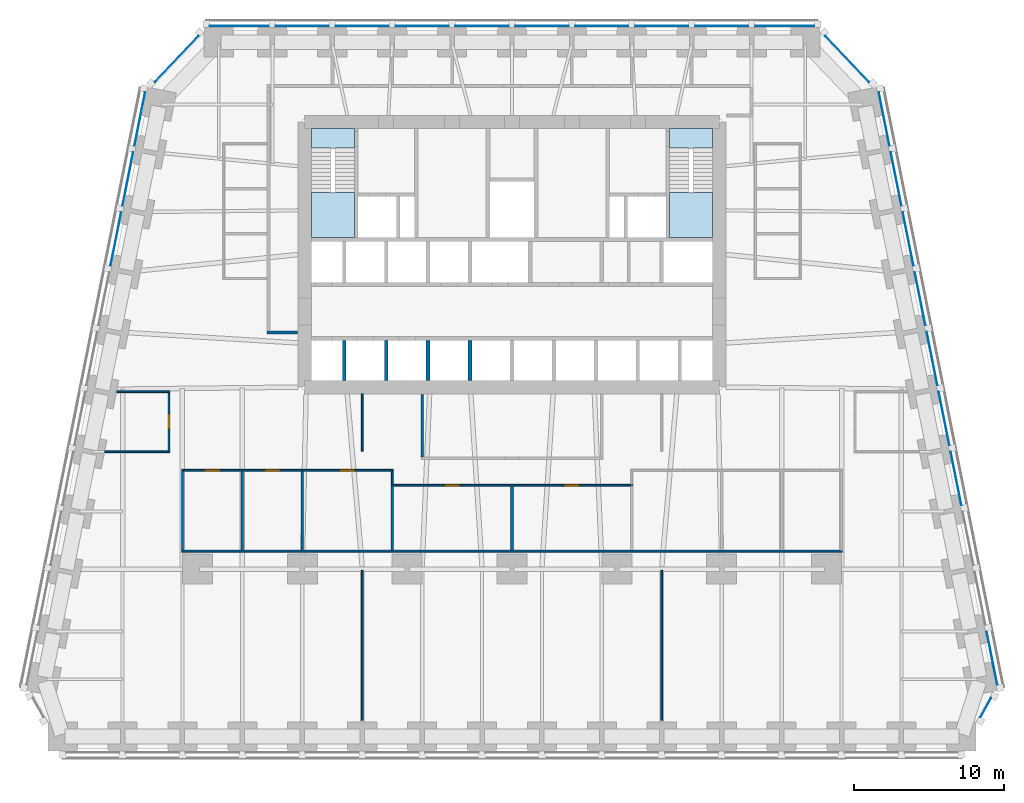
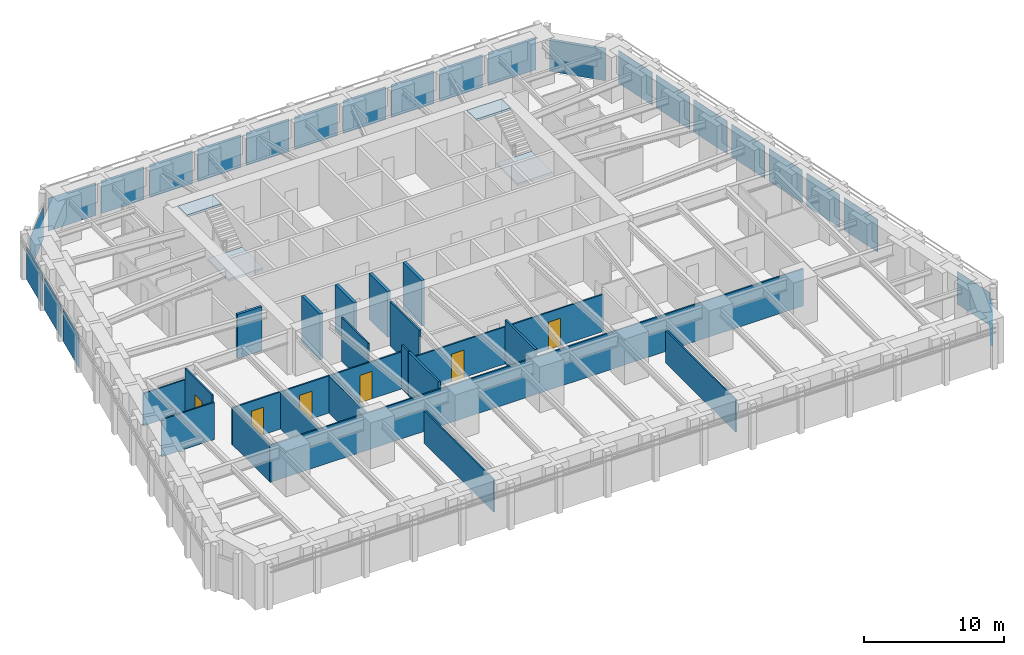
# One storey, part 5 of 10: 24 plates, 21 walls, 6 doors, 4 slabs, 6 openings, 8 elements without a shape of their own.
"""IFC4 building model written with IfcOpenShell, lengths in metres."""

from ifc_helpers import new_model, si_unit, direction, frame, frame_2d, origin, origin_2d, place, context, subcontext, project, spatial, polyline, rectangle, outline, extrude, material, layer, layer_set, type_object, element, fill, aggregate, save


model = new_model("IFC4")

# Units and contexts
model_context = context("Model", 3, precision=1e-05, world=origin(), true_north=direction((0.0, 1.0)))
body_context = subcontext(model_context, "Body", "Model", "MODEL_VIEW")
ifc_project = project(units=[si_unit("LENGTHUNIT", "METRE"), si_unit("AREAUNIT", "SQUARE_METRE"), si_unit("VOLUMEUNIT", "CUBIC_METRE"), si_unit("PLANEANGLEUNIT", "RADIAN"), si_unit("MASSUNIT", "GRAM", prefix="KILO")], contexts=[model_context])

# Site, building, storey
site_placement = place(None, origin())
site = spatial("IfcSite", under=ifc_project, at=site_placement, CompositionType="ELEMENT")
building_placement = place(site_placement, origin())
building = spatial("IfcBuilding", under=site, at=building_placement, Name="Isbrekke Arena Tower", CompositionType="ELEMENT")
storey_placement = place(building_placement, frame((0.0, 0.0, 76.0)))
storey = spatial("IfcBuildingStorey", under=building, at=storey_placement, Name="L16", CompositionType="ELEMENT", Elevation=76.0)

# Curtain wall, plate
ifc_material_1 = material(Name="Glazed aluminium curtain wall", Category="aluminium")
curtain_wall_type = type_object("IfcCurtainWallType", Name="CWL TOWER CURTAIN WALL LOW ZONE", PredefinedType="USERDEFINED", material=ifc_material_1)
curtain_wall_1_placement = place(storey_placement, origin())
curtain_wall_1 = element("IfcCurtainWall", 1, at=curtain_wall_1_placement, inside=storey, type_object=curtain_wall_type, Name="CWL curtain wall L16-SE", ObjectType="TOWER CURTAIN WALL LOW ZONE", PredefinedType="USERDEFINED")
ifc_material_2 = material(Name="Triple-glazed clear glass unit", Category="glass")
ifc_layer_1 = layer(ifc_material_2, 0.031982421875)
ifc_layer_set_1 = layer_set([ifc_layer_1], Name="CWL-P VISION PANEL")
plate_type = type_object("IfcPlateType", Name="CWL-P VISION PANEL", PredefinedType="CURTAIN_PANEL", material=ifc_layer_set_1)
plate_1_placement = place(storey_placement, frame((31.62744140625, -15.24853515625, 0.02001953125), z_axis=(0.0, 0.0, 1.0), x_axis=(0.481918749773, 0.876215908676, 0.0)))
plate_1 = element("IfcPlate", 2, at=plate_1_placement, type_object=plate_type, Name="CWL-P panel 1", PredefinedType="CURTAIN_PANEL", context=body_context, shape_type="SweptSolid", body=[
    extrude(rectangle(XDim=1.453369140625, YDim=0.031982421875, at=origin_2d()), origin(), (0.0, 0.0, 1.0), 2.8798828125),
])
aggregate(curtain_wall_1, [plate_1])

# Curtain wall, plates
curtain_wall_2_placement = place(storey_placement, origin())
curtain_wall_2 = element("IfcCurtainWall", 3, at=curtain_wall_2_placement, inside=storey, type_object=curtain_wall_type, Name="CWL curtain wall L16-E", ObjectType="TOWER CURTAIN WALL LOW ZONE", PredefinedType="USERDEFINED")
plate_2_placement = place(storey_placement, frame((32.045166015625, -11.950927734375, 0.02001953125), z_axis=(0.0, 0.0, 1.0), x_axis=(-0.196116135138, 0.980580675691, 0.0)))
plate_2 = element("IfcPlate", 4, at=plate_2_placement, type_object=plate_type, Name="CWL-P panel 1", PredefinedType="CURTAIN_PANEL", context=body_context, shape_type="SweptSolid", body=[
    extrude(rectangle(XDim=3.629150390625, YDim=0.031982421875, at=origin_2d()), origin(), (0.0, 0.0, 1.0), 2.8798828125),
])
plate_3_placement = place(storey_placement, frame((29.645263671875, 0.049072265625, 0.02001953125), z_axis=(0.0, 0.0, 1.0), x_axis=(-0.196116135138, 0.980580675691, 0.0)))
plate_3 = element("IfcPlate", 5, at=plate_3_placement, type_object=plate_type, Name="CWL-P panel 4", PredefinedType="CURTAIN_PANEL", context=body_context, shape_type="SweptSolid", body=[
    extrude(rectangle(XDim=3.629150390625, YDim=0.031982421875, at=origin_2d()), origin(), (0.0, 0.0, 1.0), 2.8798828125),
])
plate_4_placement = place(storey_placement, frame((28.84521484375, 4.049072265625, 0.02001953125), z_axis=(0.0, 0.0, 1.0), x_axis=(-0.196116135138, 0.980580675691, 0.0)))
plate_4 = element("IfcPlate", 6, at=plate_4_placement, type_object=plate_type, Name="CWL-P panel 5", PredefinedType="CURTAIN_PANEL", context=body_context, shape_type="SweptSolid", body=[
    extrude(rectangle(XDim=3.629150390625, YDim=0.031982421875, at=origin_2d()), origin(), (0.0, 0.0, 1.0), 2.8798828125),
])
plate_5_placement = place(storey_placement, frame((28.045166015625, 8.049072265625, 0.02001953125), z_axis=(0.0, 0.0, 1.0), x_axis=(-0.196116135138, 0.980580675691, 0.0)))
plate_5 = element("IfcPlate", 7, at=plate_5_placement, type_object=plate_type, Name="CWL-P panel 6", PredefinedType="CURTAIN_PANEL", context=body_context, shape_type="SweptSolid", body=[
    extrude(rectangle(XDim=3.629150390625, YDim=0.031982421875, at=origin_2d()), origin(), (0.0, 0.0, 1.0), 2.8798828125),
])
plate_6_placement = place(storey_placement, frame((27.2451171875, 12.049072265625, 0.02001953125), z_axis=(0.0, 0.0, 1.0), x_axis=(-0.196116135138, 0.980580675691, 0.0)))
plate_6 = element("IfcPlate", 8, at=plate_6_placement, type_object=plate_type, Name="CWL-P panel 7", PredefinedType="CURTAIN_PANEL", context=body_context, shape_type="SweptSolid", body=[
    extrude(rectangle(XDim=3.629150390625, YDim=0.031982421875, at=origin_2d()), origin(), (0.0, 0.0, 1.0), 2.8798828125),
])
plate_7_placement = place(storey_placement, frame((26.445068359375, 16.049072265625, 0.02001953125), z_axis=(0.0, 0.0, 1.0), x_axis=(-0.196116135138, 0.980580675691, 0.0)))
plate_7 = element("IfcPlate", 9, at=plate_7_placement, type_object=plate_type, Name="CWL-P panel 8", PredefinedType="CURTAIN_PANEL", context=body_context, shape_type="SweptSolid", body=[
    extrude(rectangle(XDim=3.629150390625, YDim=0.031982421875, at=origin_2d()), origin(), (0.0, 0.0, 1.0), 2.8798828125),
])
plate_8_placement = place(storey_placement, frame((25.645263671875, 20.049072265625, 0.02001953125), z_axis=(0.0, 0.0, 1.0), x_axis=(-0.196116135138, 0.980580675691, 0.0)))
plate_8 = element("IfcPlate", 10, at=plate_8_placement, type_object=plate_type, Name="CWL-P panel 9", PredefinedType="CURTAIN_PANEL", context=body_context, shape_type="SweptSolid", body=[
    extrude(rectangle(XDim=3.629150390625, YDim=0.031982421875, at=origin_2d()), origin(), (0.0, 0.0, 1.0), 2.8798828125),
])
plate_9_placement = place(storey_placement, frame((24.84521484375, 24.049072265625, 0.02001953125), z_axis=(0.0, 0.0, 1.0), x_axis=(-0.196116135138, 0.980580675691, 0.0)))
plate_9 = element("IfcPlate", 11, at=plate_9_placement, type_object=plate_type, Name="CWL-P panel 10", PredefinedType="CURTAIN_PANEL", context=body_context, shape_type="SweptSolid", body=[
    extrude(rectangle(XDim=3.629150390625, YDim=0.031982421875, at=origin_2d()), origin(), (0.0, 0.0, 1.0), 2.8798828125),
])
aggregate(curtain_wall_2, [plate_2, plate_3, plate_4, plate_5, plate_6, plate_7, plate_8, plate_9])

# Curtain wall, plate
curtain_wall_3_placement = place(storey_placement, origin())
curtain_wall_3 = element("IfcCurtainWall", 12, at=curtain_wall_3_placement, inside=storey, type_object=curtain_wall_type, Name="CWL curtain wall L16-EN", ObjectType="TOWER CURTAIN WALL LOW ZONE", PredefinedType="USERDEFINED")
plate_10_placement = place(storey_placement, frame((22.386474609375, 28.05419921875, 0.02001953125), z_axis=(0.0, 0.0, 1.0), x_axis=(-0.68874946192, 0.72499943359, 0.0)))
plate_10 = element("IfcPlate", 13, at=plate_10_placement, type_object=plate_type, Name="CWL-P panel 1", PredefinedType="CURTAIN_PANEL", context=body_context, shape_type="SweptSolid", body=[
    extrude(rectangle(XDim=4.22900390625, YDim=0.031982421875, at=origin_2d()), origin(), (0.0, 0.0, 1.0), 2.8798828125),
])
aggregate(curtain_wall_3, [plate_10])

# Curtain wall, plates
curtain_wall_4_placement = place(storey_placement, origin())
curtain_wall_4 = element("IfcCurtainWall", 14, at=curtain_wall_4_placement, inside=storey, type_object=curtain_wall_type, Name="CWL curtain wall L16-N", ObjectType="TOWER CURTAIN WALL LOW ZONE", PredefinedType="USERDEFINED")
plate_11_placement = place(storey_placement, frame((18.199951171875, 30.25, 0.02001953125), z_axis=(0.0, 0.0, 1.0), x_axis=(-1.0, 0.0, 0.0)))
plate_11 = element("IfcPlate", 15, at=plate_11_placement, type_object=plate_type, Name="CWL-P panel 1", PredefinedType="CURTAIN_PANEL", context=body_context, shape_type="SweptSolid", body=[
    extrude(rectangle(XDim=3.949951171875, YDim=0.031982421875, at=origin_2d()), origin(), (0.0, 0.0, 1.0), 2.8798828125),
])
plate_12_placement = place(storey_placement, frame((14.0, 30.25, 0.02001953125), z_axis=(0.0, 0.0, 1.0), x_axis=(-1.0, 0.0, 0.0)))
plate_12 = element("IfcPlate", 16, at=plate_12_placement, type_object=plate_type, Name="CWL-P panel 2", PredefinedType="CURTAIN_PANEL", context=body_context, shape_type="SweptSolid", body=[
    extrude(rectangle(XDim=3.550048828125, YDim=0.031982421875, at=origin_2d()), origin(), (0.0, 0.0, 1.0), 2.8798828125),
])
plate_13_placement = place(storey_placement, frame((10.0, 30.25, 0.02001953125), z_axis=(0.0, 0.0, 1.0), x_axis=(-1.0, 0.0, 0.0)))
plate_13 = element("IfcPlate", 17, at=plate_13_placement, type_object=plate_type, Name="CWL-P panel 3", PredefinedType="CURTAIN_PANEL", context=body_context, shape_type="SweptSolid", body=[
    extrude(rectangle(XDim=3.550048828125, YDim=0.031982421875, at=origin_2d()), origin(), (0.0, 0.0, 1.0), 2.8798828125),
])
plate_14_placement = place(storey_placement, frame((6.0, 30.25, 0.02001953125), z_axis=(0.0, 0.0, 1.0), x_axis=(-1.0, 0.0, 0.0)))
plate_14 = element("IfcPlate", 18, at=plate_14_placement, type_object=plate_type, Name="CWL-P panel 4", PredefinedType="CURTAIN_PANEL", context=body_context, shape_type="SweptSolid", body=[
    extrude(rectangle(XDim=3.550048828125, YDim=0.031982421875, at=origin_2d()), origin(), (0.0, 0.0, 1.0), 2.8798828125),
])
plate_15_placement = place(storey_placement, frame((2.0, 30.25, 0.02001953125), z_axis=(0.0, 0.0, 1.0), x_axis=(-1.0, 0.0, 0.0)))
plate_15 = element("IfcPlate", 19, at=plate_15_placement, type_object=plate_type, Name="CWL-P panel 5", PredefinedType="CURTAIN_PANEL", context=body_context, shape_type="SweptSolid", body=[
    extrude(rectangle(XDim=3.550048828125, YDim=0.031982421875, at=origin_2d()), origin(), (0.0, 0.0, 1.0), 2.8798828125),
])
plate_16_placement = place(storey_placement, frame((-2.0, 30.25, 0.02001953125), z_axis=(0.0, 0.0, 1.0), x_axis=(-1.0, 0.0, 0.0)))
plate_16 = element("IfcPlate", 20, at=plate_16_placement, type_object=plate_type, Name="CWL-P panel 6", PredefinedType="CURTAIN_PANEL", context=body_context, shape_type="SweptSolid", body=[
    extrude(rectangle(XDim=3.550048828125, YDim=0.031982421875, at=origin_2d()), origin(), (0.0, 0.0, 1.0), 2.8798828125),
])
plate_17_placement = place(storey_placement, frame((-6.0, 30.25, 0.02001953125), z_axis=(0.0, 0.0, 1.0), x_axis=(-1.0, 0.0, 0.0)))
plate_17 = element("IfcPlate", 21, at=plate_17_placement, type_object=plate_type, Name="CWL-P panel 7", PredefinedType="CURTAIN_PANEL", context=body_context, shape_type="SweptSolid", body=[
    extrude(rectangle(XDim=3.550048828125, YDim=0.031982421875, at=origin_2d()), origin(), (0.0, 0.0, 1.0), 2.8798828125),
])
plate_18_placement = place(storey_placement, frame((-10.0, 30.25, 0.02001953125), z_axis=(0.0, 0.0, 1.0), x_axis=(-1.0, 0.0, 0.0)))
plate_18 = element("IfcPlate", 22, at=plate_18_placement, type_object=plate_type, Name="CWL-P panel 8", PredefinedType="CURTAIN_PANEL", context=body_context, shape_type="SweptSolid", body=[
    extrude(rectangle(XDim=3.550048828125, YDim=0.031982421875, at=origin_2d()), origin(), (0.0, 0.0, 1.0), 2.8798828125),
])
plate_19_placement = place(storey_placement, frame((-14.0, 30.25, 0.02001953125), z_axis=(0.0, 0.0, 1.0), x_axis=(-1.0, 0.0, 0.0)))
plate_19 = element("IfcPlate", 23, at=plate_19_placement, type_object=plate_type, Name="CWL-P panel 9", PredefinedType="CURTAIN_PANEL", context=body_context, shape_type="SweptSolid", body=[
    extrude(rectangle(XDim=3.550048828125, YDim=0.031982421875, at=origin_2d()), origin(), (0.0, 0.0, 1.0), 2.8798828125),
])
plate_20_placement = place(storey_placement, frame((-18.199951171875, 30.25, 0.02001953125), z_axis=(0.0, 0.0, 1.0), x_axis=(-1.0, 0.0, 0.0)))
plate_20 = element("IfcPlate", 24, at=plate_20_placement, type_object=plate_type, Name="CWL-P panel 10", PredefinedType="CURTAIN_PANEL", context=body_context, shape_type="SweptSolid", body=[
    extrude(rectangle(XDim=3.949951171875, YDim=0.031982421875, at=origin_2d()), origin(), (0.0, 0.0, 1.0), 2.8798828125),
])
aggregate(curtain_wall_4, [plate_11, plate_12, plate_13, plate_14, plate_15, plate_16, plate_17, plate_18, plate_19, plate_20])

# Curtain wall, plate
curtain_wall_5_placement = place(storey_placement, origin())
curtain_wall_5 = element("IfcCurtainWall", 25, at=curtain_wall_5_placement, inside=storey, type_object=curtain_wall_type, Name="CWL curtain wall L16-NW", ObjectType="TOWER CURTAIN WALL LOW ZONE", PredefinedType="USERDEFINED")
plate_21_placement = place(storey_placement, frame((-22.38623046875, 28.054443359375, 0.02001953125), z_axis=(0.0, 0.0, 1.0), x_axis=(-0.68874946192, -0.72499943359, 0.0)))
plate_21 = element("IfcPlate", 26, at=plate_21_placement, type_object=plate_type, Name="CWL-P panel 1", PredefinedType="CURTAIN_PANEL", context=body_context, shape_type="SweptSolid", body=[
    extrude(rectangle(XDim=4.22802734375, YDim=0.031982421875, at=origin_2d()), origin(), (0.0, 0.0, 1.0), 2.8798828125),
])
aggregate(curtain_wall_5, [plate_21])

# Curtain wall, plates
curtain_wall_6_placement = place(storey_placement, origin())
curtain_wall_6 = element("IfcCurtainWall", 27, at=curtain_wall_6_placement, inside=storey, type_object=curtain_wall_type, Name="CWL curtain wall L16-W", ObjectType="TOWER CURTAIN WALL LOW ZONE", PredefinedType="USERDEFINED")
plate_22_placement = place(storey_placement, frame((-24.84521484375, 24.049072265625, 0.02001953125), z_axis=(0.0, 0.0, 1.0), x_axis=(-0.196116135138, -0.980580675691, 0.0)))
plate_22 = element("IfcPlate", 28, at=plate_22_placement, type_object=plate_type, Name="CWL-P panel 1", PredefinedType="CURTAIN_PANEL", context=body_context, shape_type="SweptSolid", body=[
    extrude(rectangle(XDim=3.629150390625, YDim=0.031982421875, at=origin_2d()), origin(), (0.0, 0.0, 1.0), 2.8798828125),
])
plate_23_placement = place(storey_placement, frame((-25.645263671875, 20.049072265625, 0.02001953125), z_axis=(0.0, 0.0, 1.0), x_axis=(-0.196116135138, -0.980580675691, 0.0)))
plate_23 = element("IfcPlate", 29, at=plate_23_placement, type_object=plate_type, Name="CWL-P panel 2", PredefinedType="CURTAIN_PANEL", context=body_context, shape_type="SweptSolid", body=[
    extrude(rectangle(XDim=3.629150390625, YDim=0.031982421875, at=origin_2d()), origin(), (0.0, 0.0, 1.0), 2.8798828125),
])
plate_24_placement = place(storey_placement, frame((-26.445068359375, 16.049072265625, 0.02001953125), z_axis=(0.0, 0.0, 1.0), x_axis=(-0.196116135138, -0.980580675691, 0.0)))
plate_24 = element("IfcPlate", 30, at=plate_24_placement, type_object=plate_type, Name="CWL-P panel 3", PredefinedType="CURTAIN_PANEL", context=body_context, shape_type="SweptSolid", body=[
    extrude(rectangle(XDim=3.629150390625, YDim=0.031982421875, at=origin_2d()), origin(), (0.0, 0.0, 1.0), 2.8798828125),
])
aggregate(curtain_wall_6, [plate_22, plate_23, plate_24])

# Stair, slabs
ifc_material_3 = material(Name="Concrete B45 (C45/55) precast", Category="concrete")
stair_type = type_object("IfcStairType", Name="ST40 STAIR 1300 WIDE, 24 RISERS 167", PredefinedType="HALF_TURN_STAIR", material=ifc_material_3)
stair_1_placement = place(storey_placement, origin())
stair_1 = element("IfcStair", 31, at=stair_1_placement, inside=storey, type_object=stair_type, Name="ST1 stair L16", PredefinedType="HALF_TURN_STAIR")
ifc_material_4 = material(Name="Concrete B35 (C35/45)", Category="concrete")
ifc_layer_2 = layer(ifc_material_4, 0.199951171875)
ifc_layer_set_2 = layer_set([ifc_layer_2], Name="SL1 STAIR LANDING 200")
slab_type = type_object("IfcSlabType", Name="SL1 STAIR LANDING 200", PredefinedType="LANDING", material=ifc_layer_set_2)
slab_1_placement = place(storey_placement, frame((0.0, 0.0, 1.800048828125)))
slab_1 = element("IfcSlab", 32, at=slab_1_placement, type_object=slab_type, Name="ST1 landing 1", PredefinedType="LANDING", context=body_context, shape_type="SweptSolid", body=[
    extrude(outline(polyline([(-13.39990234375, 16.125), (-10.52490234375, 16.125), (-10.52490234375, 19.1298828125), (-13.39990234375, 19.1298828125), (-13.39990234375, 16.125)])), origin(), (0.0, 0.0, 1.0), 0.199951171875),
])
slab_2_placement = place(storey_placement, frame((0.0, 0.0, 3.800048828125)))
slab_2 = element("IfcSlab", 33, at=slab_2_placement, type_object=slab_type, Name="ST1 landing 2", PredefinedType="LANDING", context=body_context, shape_type="SweptSolid", body=[
    extrude(outline(polyline([(-13.39990234375, 22.10009765625), (-10.52490234375, 22.10009765625), (-10.52490234375, 23.39990234375), (-13.39990234375, 23.39990234375), (-13.39990234375, 22.10009765625)])), origin(), (0.0, 0.0, 1.0), 0.199951171875),
])
aggregate(stair_1, [slab_1, slab_2])

stair_2_placement = place(storey_placement, origin())
stair_2 = element("IfcStair", 34, at=stair_2_placement, inside=storey, type_object=stair_type, Name="ST2 stair L16", PredefinedType="HALF_TURN_STAIR")
slab_3_placement = place(storey_placement, frame((0.0, 0.0, 1.800048828125)))
slab_3 = element("IfcSlab", 35, at=slab_3_placement, type_object=slab_type, Name="ST2 landing 1", PredefinedType="LANDING", context=body_context, shape_type="SweptSolid", body=[
    extrude(outline(polyline([(10.52490234375, 16.125), (13.39990234375, 16.125), (13.39990234375, 19.1298828125), (10.52490234375, 19.1298828125), (10.52490234375, 16.125)])), origin(), (0.0, 0.0, 1.0), 0.199951171875),
])
slab_4_placement = place(storey_placement, frame((0.0, 0.0, 3.800048828125)))
slab_4 = element("IfcSlab", 36, at=slab_4_placement, type_object=slab_type, Name="ST2 landing 2", PredefinedType="LANDING", context=body_context, shape_type="SweptSolid", body=[
    extrude(outline(polyline([(10.52490234375, 22.10009765625), (13.39990234375, 22.10009765625), (13.39990234375, 23.39990234375), (10.52490234375, 23.39990234375), (10.52490234375, 22.10009765625)])), origin(), (0.0, 0.0, 1.0), 0.199951171875),
])
aggregate(stair_2, [slab_3, slab_4])

# Walls
ifc_material_5 = material(Name="Concrete B45 (C45/55)", Category="concrete")
ifc_layer_3 = layer(ifc_material_5, 0.25)
ifc_layer_set_3 = layer_set([ifc_layer_3], Name="CW6 SHAFT WALL 250")
wall_type_1 = type_object("IfcWallType", Name="CW6 SHAFT WALL 250", PredefinedType="SHEAR", material=ifc_layer_set_3)
for number, where, z_axis, x_axis, name in (
    (37, (-11.199951171875, 6.60009765625, 0.0), (0.0, 0.0, 1.0), (0.0, 1.0, 0.0), "Core wall SS01 L16"),
    (38, (-8.39990234375, 6.60009765625, 0.0), (0.0, 0.0, 1.0), (0.0, 1.0, 0.0), "Core wall SS02 L16"),
    (39, (-5.60009765625, 6.60009765625, 0.0), (0.0, 0.0, 1.0), (0.0, 1.0, 0.0), "Core wall SS03 L16"),
    (40, (-2.800048828125, 6.60009765625, 0.0), (0.0, 0.0, 1.0), (0.0, 1.0, 0.0), "Core wall SS04 L16"),
):
    element("IfcWall", number, at=place(storey_placement, frame(where, z_axis=z_axis, x_axis=x_axis)), inside=storey, type_object=wall_type_1, Name=name, PredefinedType="SHEAR", context=body_context, shape_type="SweptSolid", body=[
        extrude(rectangle(XDim=2.6748046875, YDim=0.25, at=frame_2d((1.33740234375, 0.0))), origin(), (0.0, 0.0, 1.0), 4.0),
    ])
ifc_material_6 = material(Name="Gypsum board partition on steel studs", Category="steel")
ifc_layer_4 = layer(ifc_material_6, 0.14990234375)
ifc_layer_set_4 = layer_set([ifc_layer_4], Name="IW1 PARTITION 150")
wall_type_2 = type_object("IfcWallType", Name="IW1 PARTITION 150", PredefinedType="PARTITIONING", material=ifc_layer_set_4)
wall_1_placement = place(storey_placement, frame((-6.0, 1.47509765625, 0.0), z_axis=(0.0, 0.0, 1.0), x_axis=(0.0, 1.0, 0.0)))
element("IfcWall", 41, at=wall_1_placement, inside=storey, type_object=wall_type_2, Name="IW1 partition 150 L16", PredefinedType="PARTITIONING", context=body_context, shape_type="SweptSolid", body=[
    extrude(rectangle(XDim=4.19482421875, YDim=0.14990234375, at=frame_2d((2.097412109375, 0.0))), origin(), (0.0, 0.0, 1.0), 3.85009765625),
])
ifc_material_7 = material(Name="Frameless glazed partition, laminated acoustic glass", Category="glass")
ifc_layer_5 = layer(ifc_material_7, 0.1201171875)
ifc_layer_set_5 = layer_set([ifc_layer_5], Name="IW2 GLAZED PARTITION 120")
wall_type_3 = type_object("IfcWallType", Name="IW2 GLAZED PARTITION 120", PredefinedType="PARTITIONING", material=ifc_layer_set_5)
wall_2_placement = place(storey_placement, frame((-22.06005859375, -4.800048828125, 0.0), z_axis=(0.0, 0.0, 1.0), x_axis=(1.0, 0.0, 0.0)))
element("IfcWall", 42, at=wall_2_placement, inside=storey, type_object=wall_type_3, Name="IW2 glazed partition 120 L16", PredefinedType="PARTITIONING", context=body_context, shape_type="SweptSolid", body=[
    extrude(rectangle(XDim=44.1201171875, YDim=0.1201171875, at=frame_2d((22.06005859375, 0.0))), origin(), (0.0, 0.0, 1.0), 3.25),
])

# Wall, openings, doors
wall_3_placement = place(storey_placement, frame((-8.06005859375, -0.39990234375, 0.0), z_axis=(0.0, 0.0, 1.0), x_axis=(1.0, 0.0, 0.0)))
wall_3 = element("IfcWall", 43, at=wall_3_placement, inside=storey, type_object=wall_type_3, Name="IW2 glazed partition 120 L16", PredefinedType="PARTITIONING", context=body_context, shape_type="SweptSolid", body=[
    extrude(rectangle(XDim=16.1201171875, YDim=0.1201171875, at=frame_2d((8.06005859375, 0.0))), origin(), (0.0, 0.0, 1.0), 3.25),
])
opening_1_placement = place(wall_3_placement, frame((3.56005859375, 0.0, 0.0)))
opening_1 = element("IfcOpeningElement", 44, at=opening_1_placement, cuts=wall_3, Name="Opening D11", PredefinedType="OPENING", context=body_context, shape_type="SweptSolid", body=[
    extrude(rectangle(XDim=1.0, YDim=2.39990234375, at=frame_2d((0.5, 1.199951171875))), frame((0.0, 0.074951171875, 0.0), z_axis=(0.0, -1.0, 0.0), x_axis=(1.0, 0.0, 0.0)), (0.0, 0.0, 1.0), 0.14990234375),
])
opening_2_placement = place(wall_3_placement, frame((11.56005859375, 0.0, 0.0)))
opening_2 = element("IfcOpeningElement", 45, at=opening_2_placement, cuts=wall_3, Name="Opening D11", PredefinedType="OPENING", context=body_context, shape_type="SweptSolid", body=[
    extrude(rectangle(XDim=1.0, YDim=2.39990234375, at=frame_2d((0.5, 1.199951171875))), frame((0.0, 0.074951171875, 0.0), z_axis=(0.0, -1.0, 0.0), x_axis=(1.0, 0.0, 0.0)), (0.0, 0.0, 1.0), 0.14990234375),
])
ifc_material_8 = material(Name="Frameless glazed door", Category="glass")
door_type = type_object("IfcDoorType", Name="D11 GLAZED MEETING ROOM DOOR 1000 x 2400", OperationType="SINGLE_SWING_RIGHT", PredefinedType="DOOR", material=ifc_material_8)
door_1_placement = place(opening_1_placement, origin())
door_1 = element("IfcDoor", 46, at=door_1_placement, inside=storey, type_object=door_type, Name="D11 meeting room door L16", OperationType="SINGLE_SWING_RIGHT", OverallHeight=2.39990234375, OverallWidth=1.0, PredefinedType="DOOR", context=body_context, shape_type="SweptSolid", body=[
    extrude(rectangle(XDim=1.0, YDim=2.39990234375, at=frame_2d((0.5, 1.199951171875))), frame((0.0, 0.059814453125, 0.0), z_axis=(0.0, -1.0, 0.0), x_axis=(1.0, 0.0, 0.0)), (0.0, 0.0, 1.0), 0.11962890625),
])
fill(opening_1, door_1)
door_2_placement = place(opening_2_placement, origin())
door_2 = element("IfcDoor", 47, at=door_2_placement, inside=storey, type_object=door_type, Name="D11 meeting room door L16", OperationType="SINGLE_SWING_RIGHT", OverallHeight=2.39990234375, OverallWidth=1.0, PredefinedType="DOOR", context=body_context, shape_type="SweptSolid", body=[
    extrude(rectangle(XDim=1.0, YDim=2.39990234375, at=frame_2d((0.5, 1.199951171875))), frame((0.0, 0.059814453125, 0.0), z_axis=(0.0, -1.0, 0.0), x_axis=(1.0, 0.0, 0.0)), (0.0, 0.0, 1.0), 0.11962890625),
])
fill(opening_2, door_2)

wall_4_placement = place(storey_placement, frame((-22.06005859375, 0.60009765625, 0.0), z_axis=(0.0, 0.0, 1.0), x_axis=(1.0, 0.0, 0.0)))
wall_4 = element("IfcWall", 48, at=wall_4_placement, inside=storey, type_object=wall_type_3, Name="IW2 glazed partition 120 L16", PredefinedType="PARTITIONING", context=body_context, shape_type="SweptSolid", body=[
    extrude(rectangle(XDim=14.1201171875, YDim=0.1201171875, at=frame_2d((7.06005859375, 0.0))), origin(), (0.0, 0.0, 1.0), 3.25),
])
opening_3_placement = place(wall_4_placement, frame((1.56005859375, 0.0, 0.0)))
opening_3 = element("IfcOpeningElement", 49, at=opening_3_placement, cuts=wall_4, Name="Opening D11", PredefinedType="OPENING", context=body_context, shape_type="SweptSolid", body=[
    extrude(rectangle(XDim=1.0, YDim=2.39990234375, at=frame_2d((0.5, 1.199951171875))), frame((0.0, 0.074951171875, 0.0), z_axis=(0.0, -1.0, 0.0), x_axis=(1.0, 0.0, 0.0)), (0.0, 0.0, 1.0), 0.14990234375),
])
opening_4_placement = place(wall_4_placement, frame((5.56005859375, 0.0, 0.0)))
opening_4 = element("IfcOpeningElement", 50, at=opening_4_placement, cuts=wall_4, Name="Opening D11", PredefinedType="OPENING", context=body_context, shape_type="SweptSolid", body=[
    extrude(rectangle(XDim=1.0, YDim=2.39990234375, at=frame_2d((0.5, 1.199951171875))), frame((0.0, 0.074951171875, 0.0), z_axis=(0.0, -1.0, 0.0), x_axis=(1.0, 0.0, 0.0)), (0.0, 0.0, 1.0), 0.14990234375),
])
opening_5_placement = place(wall_4_placement, frame((10.56005859375, 0.0, 0.0)))
opening_5 = element("IfcOpeningElement", 51, at=opening_5_placement, cuts=wall_4, Name="Opening D11", PredefinedType="OPENING", context=body_context, shape_type="SweptSolid", body=[
    extrude(rectangle(XDim=1.0, YDim=2.39990234375, at=frame_2d((0.5, 1.199951171875))), frame((0.0, 0.074951171875, 0.0), z_axis=(0.0, -1.0, 0.0), x_axis=(1.0, 0.0, 0.0)), (0.0, 0.0, 1.0), 0.14990234375),
])
door_3_placement = place(opening_3_placement, origin())
door_3 = element("IfcDoor", 52, at=door_3_placement, inside=storey, type_object=door_type, Name="D11 meeting room door L16", OperationType="SINGLE_SWING_RIGHT", OverallHeight=2.39990234375, OverallWidth=1.0, PredefinedType="DOOR", context=body_context, shape_type="SweptSolid", body=[
    extrude(rectangle(XDim=1.0, YDim=2.39990234375, at=frame_2d((0.5, 1.199951171875))), frame((0.0, 0.059814453125, 0.0), z_axis=(0.0, -1.0, 0.0), x_axis=(1.0, 0.0, 0.0)), (0.0, 0.0, 1.0), 0.11962890625),
])
fill(opening_3, door_3)
door_4_placement = place(opening_4_placement, origin())
door_4 = element("IfcDoor", 53, at=door_4_placement, inside=storey, type_object=door_type, Name="D11 meeting room door L16", OperationType="SINGLE_SWING_RIGHT", OverallHeight=2.39990234375, OverallWidth=1.0, PredefinedType="DOOR", context=body_context, shape_type="SweptSolid", body=[
    extrude(rectangle(XDim=1.0, YDim=2.39990234375, at=frame_2d((0.5, 1.199951171875))), frame((0.0, 0.059814453125, 0.0), z_axis=(0.0, -1.0, 0.0), x_axis=(1.0, 0.0, 0.0)), (0.0, 0.0, 1.0), 0.11962890625),
])
fill(opening_4, door_4)
door_5_placement = place(opening_5_placement, origin())
door_5 = element("IfcDoor", 54, at=door_5_placement, inside=storey, type_object=door_type, Name="D11 meeting room door L16", OperationType="SINGLE_SWING_RIGHT", OverallHeight=2.39990234375, OverallWidth=1.0, PredefinedType="DOOR", context=body_context, shape_type="SweptSolid", body=[
    extrude(rectangle(XDim=1.0, YDim=2.39990234375, at=frame_2d((0.5, 1.199951171875))), frame((0.0, 0.059814453125, 0.0), z_axis=(0.0, -1.0, 0.0), x_axis=(1.0, 0.0, 0.0)), (0.0, 0.0, 1.0), 0.11962890625),
])
fill(opening_5, door_5)

# Walls
wall_5_placement = place(storey_placement, frame((-27.1962890625, 1.840087890625, 0.0), z_axis=(0.0, 0.0, 1.0), x_axis=(1.0, 0.0, 0.0)))
element("IfcWall", 55, at=wall_5_placement, inside=storey, type_object=wall_type_3, Name="IW2 glazed partition 120 L16", PredefinedType="PARTITIONING", context=body_context, shape_type="SweptSolid", body=[
    extrude(rectangle(XDim=4.356201171875, YDim=0.1201171875, at=frame_2d((2.17822265625, 0.0))), origin(), (0.0, 0.0, 1.0), 3.25),
])
wall_6_placement = place(storey_placement, frame((-26.396484375, 5.840087890625, 0.0), z_axis=(0.0, 0.0, 1.0), x_axis=(1.0, 0.0, 0.0)))
element("IfcWall", 56, at=wall_6_placement, inside=storey, type_object=wall_type_3, Name="IW2 glazed partition 120 L16", PredefinedType="PARTITIONING", context=body_context, shape_type="SweptSolid", body=[
    extrude(rectangle(XDim=3.556396484375, YDim=0.1201171875, at=frame_2d((1.7783203125, 0.0))), origin(), (0.0, 0.0, 1.0), 2.842041015625),
])

# Wall, opening, door
wall_7_placement = place(storey_placement, frame((-22.89990234375, 1.89990234375, 0.0), z_axis=(0.0, 0.0, 1.0), x_axis=(0.0, 1.0, 0.0)))
wall_7 = element("IfcWall", 57, at=wall_7_placement, inside=storey, type_object=wall_type_3, Name="IW2 glazed partition 120 L16", PredefinedType="PARTITIONING", context=body_context, shape_type="SweptSolid", body=[
    extrude(rectangle(XDim=3.880126953125, YDim=0.1201171875, at=frame_2d((1.93994140625, 0.0))), origin(), (0.0, 0.0, 1.0), 3.85009765625),
])
opening_6_placement = place(wall_7_placement, frame((1.43994140625, 0.0, 0.0)))
opening_6 = element("IfcOpeningElement", 58, at=opening_6_placement, cuts=wall_7, Name="Opening D11", PredefinedType="OPENING", context=body_context, shape_type="SweptSolid", body=[
    extrude(rectangle(XDim=1.0, YDim=2.39990234375, at=frame_2d((0.5, 1.199951171875))), frame((0.0, 0.074951171875, 0.0), z_axis=(0.0, -1.0, 0.0), x_axis=(1.0, 0.0, 0.0)), (0.0, 0.0, 1.0), 0.14990234375),
])
door_6_placement = place(opening_6_placement, origin())
door_6 = element("IfcDoor", 59, at=door_6_placement, inside=storey, type_object=door_type, Name="D11 project room door L16", OperationType="SINGLE_SWING_RIGHT", OverallHeight=2.39990234375, OverallWidth=1.0, PredefinedType="DOOR", context=body_context, shape_type="SweptSolid", body=[
    extrude(rectangle(XDim=1.0, YDim=2.39990234375, at=frame_2d((0.5, 1.199951171875))), frame((0.0, 0.059814453125, 0.0), z_axis=(0.0, -1.0, 0.0), x_axis=(1.0, 0.0, 0.0)), (0.0, 0.0, 1.0), 0.11962890625),
])
fill(opening_6, door_6)

# Walls
wall_8_placement = place(storey_placement, frame((-22.0, -4.739990234375, 0.0), z_axis=(0.0, 0.0, 1.0), x_axis=(0.0, 1.0, 0.0)))
element("IfcWall", 60, at=wall_8_placement, inside=storey, type_object=wall_type_3, Name="IW2 glazed partition 120 L16", PredefinedType="PARTITIONING", context=body_context, shape_type="SweptSolid", body=[
    extrude(rectangle(XDim=5.280029296875, YDim=0.1201171875, at=frame_2d((2.64013671875, 0.0))), origin(), (0.0, 0.0, 1.0), 3.25),
])
wall_9_placement = place(storey_placement, frame((-8.0, -0.340087890625, 0.0), z_axis=(0.0, 0.0, 1.0), x_axis=(0.0, 1.0, 0.0)))
element("IfcWall", 61, at=wall_9_placement, inside=storey, type_object=wall_type_3, Name="IW2 glazed partition 120 L16", PredefinedType="PARTITIONING", context=body_context, shape_type="SweptSolid", body=[
    extrude(rectangle(XDim=0.880126953125, YDim=0.1201171875, at=frame_2d((0.43994140625, 0.0))), origin(), (0.0, 0.0, 1.0), 3.85009765625),
])
wall_10_placement = place(storey_placement, frame((-9.9990234375, -16.10009765625, 0.0), z_axis=(0.0, 0.0, 1.0), x_axis=(0.0, 1.0, 0.0)))
element("IfcWall", 62, at=wall_10_placement, inside=storey, type_object=wall_type_3, Name="IW2 glazed partition 120 L16", PredefinedType="PARTITIONING", context=body_context, shape_type="SweptSolid", body=[
    extrude(rectangle(XDim=10.02001953125, YDim=0.1201171875, at=frame_2d((5.010009765625, 0.0))), origin(), (0.0, 0.0, 1.0), 2.842041015625),
])
wall_11_placement = place(storey_placement, frame((-9.9990234375, 1.8798828125, 0.0), z_axis=(0.0, 0.0, 1.0), x_axis=(0.0, 1.0, 0.0)))
element("IfcWall", 63, at=wall_11_placement, inside=storey, type_object=wall_type_3, Name="IW2 glazed partition 120 L16", PredefinedType="PARTITIONING", context=body_context, shape_type="SweptSolid", body=[
    extrude(rectangle(XDim=3.820068359375, YDim=0.1201171875, at=frame_2d((1.91015625, 0.0))), origin(), (0.0, 0.0, 1.0), 3.85009765625),
])
wall_12_placement = place(storey_placement, frame((10.0009765625, -16.10009765625, 0.0), z_axis=(0.0, 0.0, 1.0), x_axis=(0.0, 1.0, 0.0)))
element("IfcWall", 64, at=wall_12_placement, inside=storey, type_object=wall_type_3, Name="IW2 glazed partition 120 L16", PredefinedType="PARTITIONING", context=body_context, shape_type="SweptSolid", body=[
    extrude(rectangle(XDim=10.02001953125, YDim=0.1201171875, at=frame_2d((5.010009765625, 0.0))), origin(), (0.0, 0.0, 1.0), 2.842041015625),
])
ifc_material_9 = material(Name="Gypsum board fire-cell wall on steel studs, two layers each side", Category="steel")
ifc_layer_6 = layer(ifc_material_9, 0.199951171875)
ifc_layer_set_6 = layer_set([ifc_layer_6], Name="IW3 FIRE-CELL WALL 200")
wall_type_4 = type_object("IfcWallType", Name="IW3 FIRE-CELL WALL 200", PredefinedType="PARTITIONING", material=ifc_layer_set_6)
wall_13_placement = place(storey_placement, frame((-16.35009765625, 9.800048828125, 0.0), z_axis=(0.0, 0.0, 1.0), x_axis=(1.0, 0.0, 0.0)))
element("IfcWall", 65, at=wall_13_placement, inside=storey, type_object=wall_type_4, Name="IW3 fire-cell wall 200 L16", PredefinedType="PARTITIONING", context=body_context, shape_type="SweptSolid", body=[
    extrude(rectangle(XDim=2.02001953125, YDim=0.199951171875, at=frame_2d((1.010009765625, 0.0))), origin(), (0.0, 0.0, 1.0), 3.85009765625),
])
ifc_material_10 = material(Name="Gypsum board acoustic partition on twin steel studs", Category="steel")
ifc_layer_7 = layer(ifc_material_10, 0.175048828125)
ifc_layer_set_7 = layer_set([ifc_layer_7], Name="IW4 ACOUSTIC PARTITION 175")
wall_type_5 = type_object("IfcWallType", Name="IW4 ACOUSTIC PARTITION 175", PredefinedType="PARTITIONING", material=ifc_layer_set_7)
for number, where, z_axis, x_axis, name in (
    (66, (-18.0, -4.739990234375, 0.0), (0.0, 0.0, 1.0), (0.0, 1.0, 0.0), "IW4 acoustic partition 175 L16"),
    (67, (-14.0, -4.739990234375, 0.0), (0.0, 0.0, 1.0), (0.0, 1.0, 0.0), "IW4 acoustic partition 175 L16"),
):
    element("IfcWall", number, at=place(storey_placement, frame(where, z_axis=z_axis, x_axis=x_axis)), inside=storey, type_object=wall_type_5, Name=name, PredefinedType="PARTITIONING", context=body_context, shape_type="SweptSolid", body=[
        extrude(rectangle(XDim=5.280029296875, YDim=0.175048828125, at=frame_2d((2.64013671875, 0.0))), origin(), (0.0, 0.0, 1.0), 3.25),
    ])
for number, where, z_axis, x_axis, name in (
    (68, (-8.0, -4.739990234375, 0.0), (0.0, 0.0, 1.0), (0.0, 1.0, 0.0), "IW4 acoustic partition 175 L16"),
    (69, (0.0, -4.739990234375, 0.0), (0.0, 0.0, 1.0), (0.0, 1.0, 0.0), "IW4 acoustic partition 175 L16"),
):
    element("IfcWall", number, at=place(storey_placement, frame(where, z_axis=z_axis, x_axis=x_axis)), inside=storey, type_object=wall_type_5, Name=name, PredefinedType="PARTITIONING", context=body_context, shape_type="SweptSolid", body=[
        extrude(rectangle(XDim=4.280029296875, YDim=0.175048828125, at=frame_2d((2.14013671875, 0.0))), origin(), (0.0, 0.0, 1.0), 3.85009765625),
    ])

save(model, "model.ifc")
